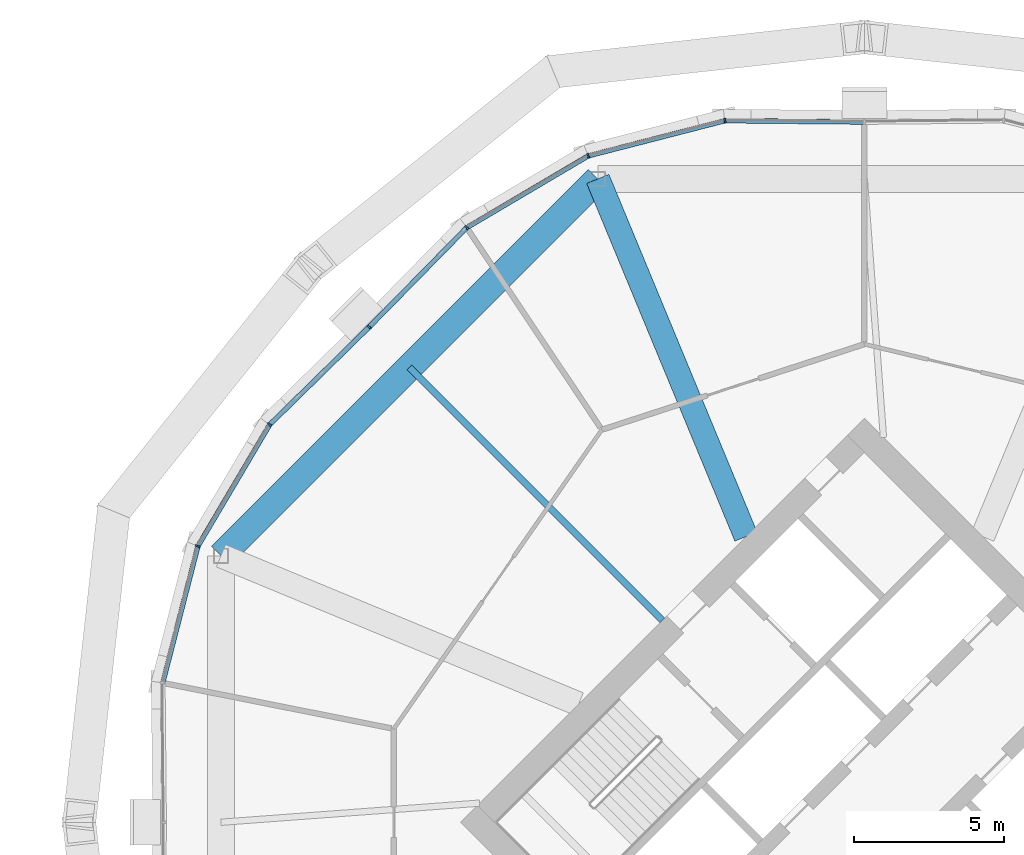
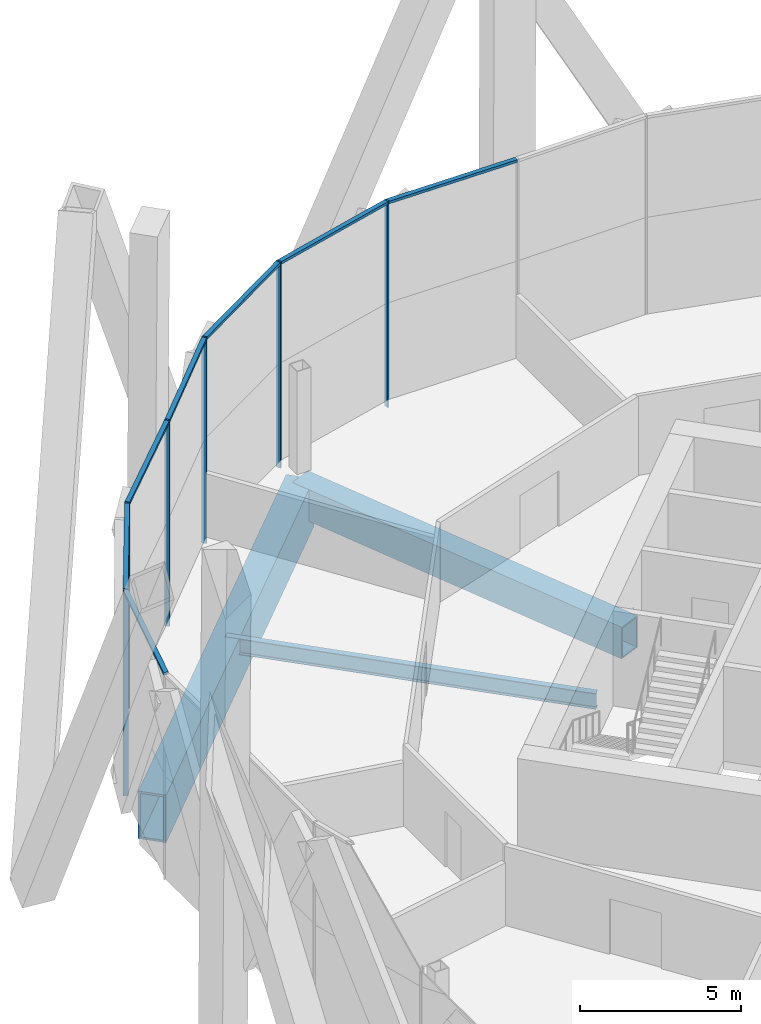
# One storey, part 14 of 30: 13 members, 3 beams, 2 elements without a shape of their own.
"""IFC4 building model written with IfcOpenShell, lengths in metres."""

from ifc_helpers import new_model, si_unit, direction, frame, origin, origin_2d, place, context, subcontext, project, spatial, rectangle, hollow_rectangle, i_section, extrude, material, material_profile, profile_set, type_object, element, aggregate, save


model = new_model("IFC4")

# Units and contexts
model_context = context("Model", 3, precision=1e-05, world=origin(), true_north=direction((0.0, 1.0)))
body_context = subcontext(model_context, "Body", "Model", "MODEL_VIEW")
ifc_project = project(units=[si_unit("LENGTHUNIT", "METRE"), si_unit("AREAUNIT", "SQUARE_METRE"), si_unit("VOLUMEUNIT", "CUBIC_METRE"), si_unit("PLANEANGLEUNIT", "RADIAN"), si_unit("MASSUNIT", "GRAM", prefix="KILO")], contexts=[model_context])

# Site, building, storey
site_placement = place(None, origin())
site = spatial("IfcSite", under=ifc_project, at=site_placement, CompositionType="ELEMENT")
building_placement = place(site_placement, origin())
building = spatial("IfcBuilding", under=site, at=building_placement, Name="Ogive Gate Towers", CompositionType="ELEMENT")
storey_placement = place(building_placement, frame((0.0, 0.0, 99.60009765625)))
storey = spatial("IfcBuildingStorey", under=building, at=storey_placement, Name="L23", CompositionType="ELEMENT", Elevation=99.60009765625)

# Beams
ifc_material_1 = material(Name="Steel SM460", Category="steel")
ifc_material_profile_1 = material_profile(ifc_material_1, hollow_rectangle(XDim=0.89990234375, YDim=1.800048828125, WallThickness=0.080078125, at=origin_2d()), Name="BX 1800x900x80")
ifc_profile_set_1 = profile_set([ifc_material_profile_1], Name="Steel SM460")
beam_type_1 = type_object("IfcBeamType", Name="Edge girder BX 1800x900x80", PredefinedType="BEAM", material=ifc_profile_set_1)
beam_1_placement = place(storey_placement, frame((27.136962890625, 21.39697265625, -1.2001953125), z_axis=(-0.707106781187, -0.707106781187, 0.0), x_axis=(0.707106781187, -0.707106781187, 0.0)))
element("IfcBeam", 1, at=beam_1_placement, inside=storey, type_object=beam_type_1, Name="T2/L23/SBM023", PredefinedType="BEAM", context=body_context, shape_type="SweptSolid", body=[
    extrude(hollow_rectangle(XDim=0.89990234375, YDim=1.800048828125, WallThickness=0.080078125, at=origin_2d()), origin(), (0.0, 0.0, 1.0), 17.7255859375),
])
ifc_material_2 = material(Name="Steel SM355", Category="steel")
ifc_material_profile_2 = material_profile(ifc_material_2, i_section(OverallWidth=0.219970703125, OverallDepth=0.60009765625, WebThickness=0.011962890625, FlangeThickness=0.01904296875, FilletRadius=0.02392578125, at=origin_2d()), Name="IPE 600")
ifc_profile_set_2 = profile_set([ifc_material_profile_2], Name="Steel SM355")
beam_type_2 = type_object("IfcBeamType", Name="Radial floor beam IPE 600", PredefinedType="BEAM", material=ifc_profile_set_2)
beam_2_placement = place(storey_placement, frame((29.282470703125, 6.717529296875, -0.60009765625), z_axis=(-0.707106781187, 0.707106781187, 0.0), x_axis=(-0.707106781187, -0.707106781187, 0.0)))
element("IfcBeam", 2, at=beam_2_placement, inside=storey, type_object=beam_type_2, Name="T2/L23/SBM014", PredefinedType="BEAM", context=body_context, shape_type="SweptSolid", body=[
    extrude(i_section(OverallWidth=0.219970703125, OverallDepth=0.60009765625, WebThickness=0.011962890625, FlangeThickness=0.01904296875, FilletRadius=0.02392578125, at=origin_2d()), origin(), (0.0, 0.0, 1.0), 11.89697265625),
])

# Curtain wall, members
ifc_material_3 = material(Name="Pale metal aluminium", Category="aluminium")
curtain_wall_type = type_object("IfcCurtainWallType", Name="Tower unitised wall, low zone", PredefinedType="NOTDEFINED", material=ifc_material_3)
curtain_wall_1_placement = place(storey_placement, origin())
curtain_wall_1 = element("IfcCurtainWall", 3, at=curtain_wall_1_placement, inside=storey, type_object=curtain_wall_type, Name="CW1 T2 ECW03", PredefinedType="NOTDEFINED")
ifc_material_profile_3 = material_profile(ifc_material_3, rectangle(XDim=0.159912109375, YDim=0.06005859375, at=origin_2d()), Name="60 x 160 aluminium box")
ifc_profile_set_3 = profile_set([ifc_material_profile_3], Name="Pale metal aluminium")
member_type_1 = type_object("IfcMemberType", Name="Tower unitised wall, low zone mullion 60 x 160", PredefinedType="MULLION", material=ifc_profile_set_3)
member_1_placement = place(storey_placement, frame((31.364501953125, 23.334716796875, -0.300048828125), z_axis=(0.0, 0.0, 1.0), x_axis=(-0.120847210271, 0.992671119641, 0.0)))
member_1 = element("IfcMember", 4, at=member_1_placement, type_object=member_type_1, Name="CW1 mullion", PredefinedType="MULLION", context=body_context, shape_type="SweptSolid", body=[
    extrude(rectangle(XDim=0.159912109375, YDim=0.06005859375, at=origin_2d()), origin(), (0.0, 0.0, 1.0), 7.800048828125),
])
member_2_placement = place(storey_placement, frame((26.819091796875, 22.164794921875, -0.300048828125), z_axis=(0.0, 0.0, 1.0), x_axis=(-0.382683432365, 0.923879532511, 0.0)))
member_2 = element("IfcMember", 5, at=member_2_placement, type_object=member_type_1, Name="CW1 mullion", PredefinedType="MULLION", context=body_context, shape_type="SweptSolid", body=[
    extrude(rectangle(XDim=0.159912109375, YDim=0.06005859375, at=origin_2d()), origin(), (0.0, 0.0, 1.0), 7.800048828125),
])
member_3_placement = place(storey_placement, frame((22.777587890625, 19.77783203125, -0.300048828125), z_axis=(0.0, 0.0, 1.0), x_axis=(-0.616458855912, 0.787387121413, 0.0)))
member_3 = element("IfcMember", 6, at=member_3_placement, type_object=member_type_1, Name="CW1 mullion", PredefinedType="MULLION", context=body_context, shape_type="SweptSolid", body=[
    extrude(rectangle(XDim=0.159912109375, YDim=0.06005859375, at=origin_2d()), origin(), (0.0, 0.0, 1.0), 7.800048828125),
])
member_4_placement = place(storey_placement, frame((19.531494140625, 16.46875, -0.300048828125), z_axis=(0.0, 0.0, 1.0), x_axis=(-0.713849613797, 0.700299028189, 0.0)))
member_4 = element("IfcMember", 7, at=member_4_placement, type_object=member_type_1, Name="CW1 mullion", PredefinedType="MULLION", context=body_context, shape_type="SweptSolid", body=[
    extrude(rectangle(XDim=0.159912109375, YDim=0.06005859375, at=origin_2d()), origin(), (0.0, 0.0, 1.0), 7.800048828125),
])

curtain_wall_2_placement = place(storey_placement, origin())
curtain_wall_2 = element("IfcCurtainWall", 8, at=curtain_wall_2_placement, inside=storey, type_object=curtain_wall_type, Name="CW1 T2 ECW04", PredefinedType="NOTDEFINED")
member_5_placement = place(storey_placement, frame((16.22216796875, 13.222412109375, -0.300048828125), z_axis=(0.0, 0.0, 1.0), x_axis=(-0.787387121413, 0.616458855912, 0.0)))
member_5 = element("IfcMember", 9, at=member_5_placement, type_object=member_type_1, Name="CW1 mullion", PredefinedType="MULLION", context=body_context, shape_type="SweptSolid", body=[
    extrude(rectangle(XDim=0.159912109375, YDim=0.06005859375, at=origin_2d()), origin(), (0.0, 0.0, 1.0), 7.800048828125),
])
member_6_placement = place(storey_placement, frame((13.835205078125, 9.180908203125, -0.300048828125), z_axis=(0.0, 0.0, 1.0), x_axis=(-0.923879532511, 0.382683432365, 0.0)))
member_6 = element("IfcMember", 10, at=member_6_placement, type_object=member_type_1, Name="CW1 mullion", PredefinedType="MULLION", context=body_context, shape_type="SweptSolid", body=[
    extrude(rectangle(XDim=0.159912109375, YDim=0.06005859375, at=origin_2d()), origin(), (0.0, 0.0, 1.0), 7.800048828125),
])

# Member
ifc_material_profile_4 = material_profile(ifc_material_3, rectangle(XDim=0.159912109375, YDim=0.10009765625, at=origin_2d()), Name="100 x 160 aluminium box")
ifc_profile_set_4 = profile_set([ifc_material_profile_4], Name="Pale metal aluminium")
member_type_2 = type_object("IfcMemberType", Name="Tower unitised wall, low zone transom 100 x 160", PredefinedType="USERDEFINED", material=ifc_profile_set_4)
member_7_placement = place(storey_placement, frame((35.9697265625, 23.290283203125, 7.449951171875), z_axis=(-0.999953923185, 0.009599557663, 0.0), x_axis=(-0.009599557663, -0.999953923185, 0.0)))
member_7 = element("IfcMember", 11, at=member_7_placement, type_object=member_type_2, Name="CW1 transom", ObjectType="TRANSOM", PredefinedType="USERDEFINED", context=body_context, shape_type="SweptSolid", body=[
    extrude(rectangle(XDim=0.159912109375, YDim=0.10009765625, at=origin_2d()), origin(), (0.0, 0.0, 1.0), 4.577880859375),
])

member_8_placement = place(storey_placement, frame((31.338134765625, 23.32763671875, 7.449951171875), z_axis=(-0.968441413221, -0.249241307087, 0.0), x_axis=(0.249241307087, -0.968441413221, 0.0)))
member_8 = element("IfcMember", 12, at=member_8_placement, type_object=member_type_2, Name="CW1 transom", ObjectType="TRANSOM", PredefinedType="USERDEFINED", context=body_context, shape_type="SweptSolid", body=[
    extrude(rectangle(XDim=0.159912109375, YDim=0.10009765625, at=origin_2d()), origin(), (0.0, 0.0, 1.0), 4.63916015625),
])

member_9_placement = place(storey_placement, frame((26.795654296875, 22.15087890625, 7.449951171875), z_axis=(-0.861015568373, -0.508578598665, 0.0), x_axis=(0.508578598665, -0.861015568373, 0.0)))
member_9 = element("IfcMember", 13, at=member_9_placement, type_object=member_type_2, Name="CW1 transom", ObjectType="TRANSOM", PredefinedType="USERDEFINED", context=body_context, shape_type="SweptSolid", body=[
    extrude(rectangle(XDim=0.159912109375, YDim=0.10009765625, at=origin_2d()), origin(), (0.0, 0.0, 1.0), 4.63916015625),
])

member_10_placement = place(storey_placement, frame((22.758544921875, 19.75830078125, 7.449951171875), z_axis=(-0.70027504726, -0.71387313872, 0.0), x_axis=(0.71387313872, -0.70027504726, 0.0)))
member_10 = element("IfcMember", 14, at=member_10_placement, type_object=member_type_2, Name="CW1 transom", ObjectType="TRANSOM", PredefinedType="USERDEFINED", context=body_context, shape_type="SweptSolid", body=[
    extrude(rectangle(XDim=0.159912109375, YDim=0.10009765625, at=origin_2d()), origin(), (0.0, 0.0, 1.0), 4.578369140625),
])

aggregate(curtain_wall_1, [member_1, member_7, member_2, member_8, member_3, member_9, member_4, member_10])

member_11_placement = place(storey_placement, frame((19.510009765625, 16.447509765625, 7.449951171875), z_axis=(-0.71387313872, -0.70027504726, 0.0), x_axis=(0.70027504726, -0.71387313872, 0.0)))
member_11 = element("IfcMember", 15, at=member_11_placement, type_object=member_type_2, Name="CW1 transom", ObjectType="TRANSOM", PredefinedType="USERDEFINED", context=body_context, shape_type="SweptSolid", body=[
    extrude(rectangle(XDim=0.159912109375, YDim=0.10009765625, at=origin_2d()), origin(), (0.0, 0.0, 1.0), 4.578369140625),
])

member_12_placement = place(storey_placement, frame((16.20849609375, 13.19873046875, 7.449951171875), z_axis=(-0.508578598665, -0.861015568373, 0.0), x_axis=(0.861015568373, -0.508578598665, 0.0)))
member_12 = element("IfcMember", 16, at=member_12_placement, type_object=member_type_2, Name="CW1 transom", ObjectType="TRANSOM", PredefinedType="USERDEFINED", context=body_context, shape_type="SweptSolid", body=[
    extrude(rectangle(XDim=0.159912109375, YDim=0.10009765625, at=origin_2d()), origin(), (0.0, 0.0, 1.0), 4.63916015625),
])

member_13_placement = place(storey_placement, frame((13.82861328125, 9.154541015625, 7.449951171875), z_axis=(-0.249241307087, -0.968441413221, 0.0), x_axis=(0.968441413221, -0.249241307087, 0.0)))
member_13 = element("IfcMember", 17, at=member_13_placement, type_object=member_type_2, Name="CW1 transom", ObjectType="TRANSOM", PredefinedType="USERDEFINED", context=body_context, shape_type="SweptSolid", body=[
    extrude(rectangle(XDim=0.159912109375, YDim=0.10009765625, at=origin_2d()), origin(), (0.0, 0.0, 1.0), 4.63916015625),
])

aggregate(curtain_wall_2, [member_5, member_11, member_6, member_12, member_13])

# Beam
ifc_material_profile_5 = material_profile(ifc_material_1, hollow_rectangle(XDim=0.800048828125, YDim=1.199951171875, WallThickness=0.050048828125, at=origin_2d()), Name="BX 1200x800x50")
ifc_profile_set_5 = profile_set([ifc_material_profile_5], Name="Steel SM460")
beam_type_3 = type_object("IfcBeamType", Name="Transfer radial beam BX 1200x800x50", PredefinedType="BEAM", material=ifc_profile_set_5)
beam_3_placement = place(storey_placement, frame((32.06494140625, 9.5, -0.900146484375), z_axis=(-0.382689470177, 0.923877031545, 0.0), x_axis=(-0.923877031545, -0.382689470177, 0.0)))
element("IfcBeam", 18, at=beam_3_placement, inside=storey, type_object=beam_type_3, Name="T2/L23/SBM013", PredefinedType="BEAM", context=body_context, shape_type="SweptSolid", body=[
    extrude(hollow_rectangle(XDim=0.800048828125, YDim=1.199951171875, WallThickness=0.050048828125, at=origin_2d()), origin(), (0.0, 0.0, 1.0), 12.877197265625),
])

save(model, "model.ifc")
